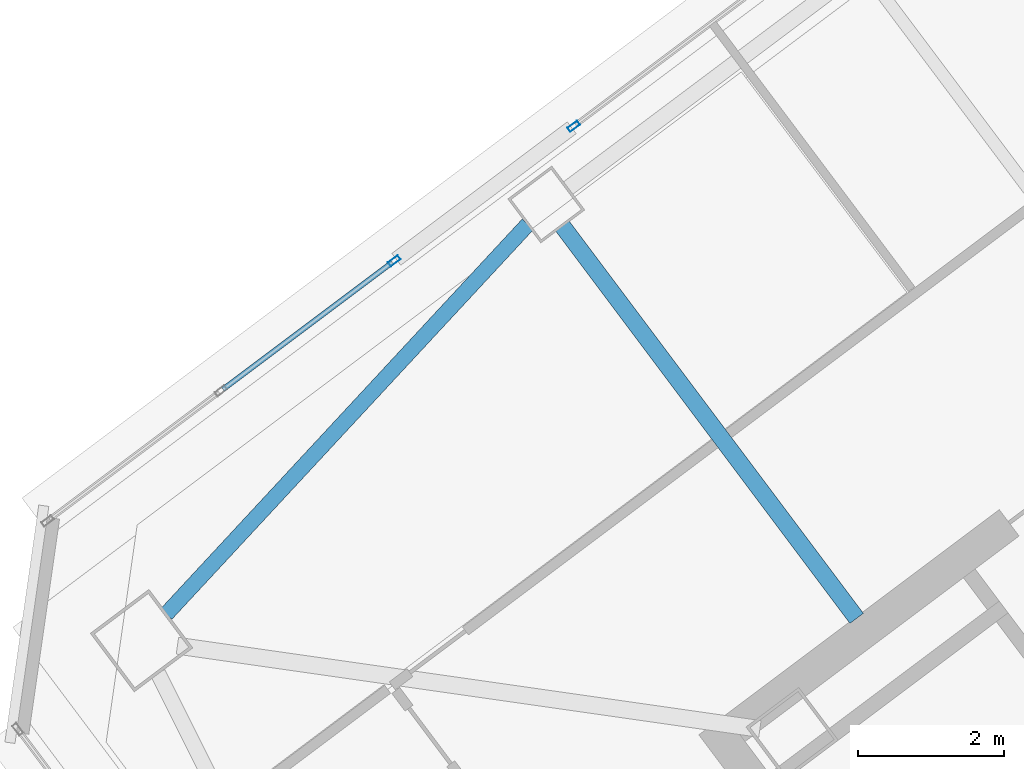
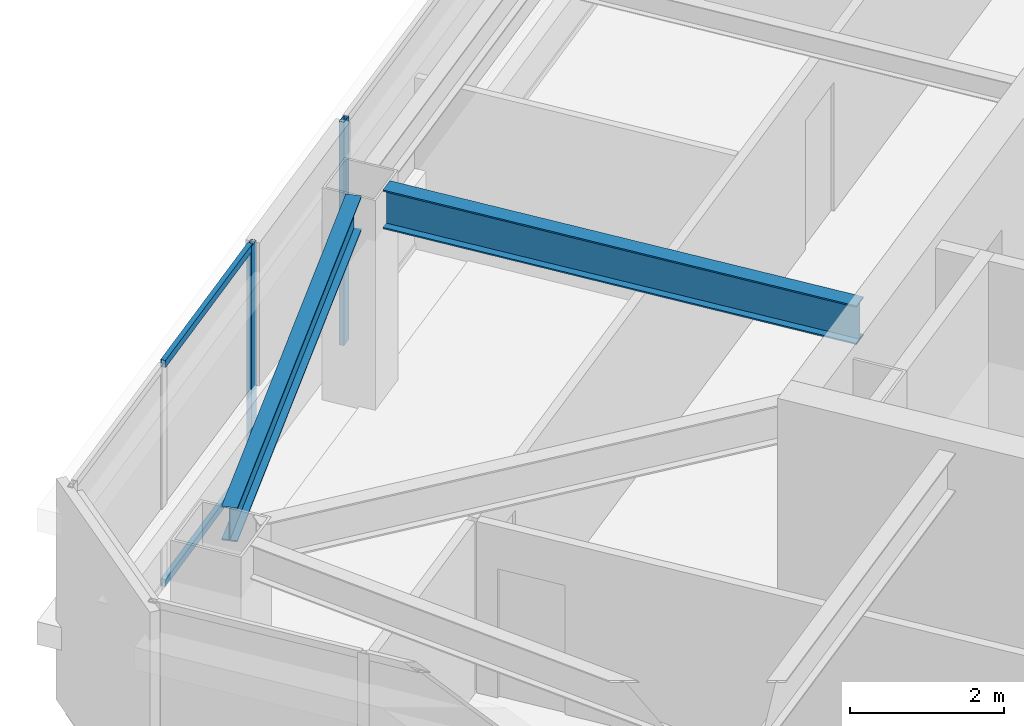
# One storey, part 20 of 39: 4 members, 2 beams, 2 elements without a shape of their own.
"""IFC4 building model written with IfcOpenShell, lengths in metres."""

from ifc_helpers import new_model, si_unit, direction, frame, origin, origin_2d, place, context, subcontext, project, spatial, hollow_rectangle, i_section, extrude, material, material_profile, profile_set, type_object, element, aggregate, save


model = new_model("IFC4")

# Units and contexts
model_context = context("Model", 3, precision=1e-05, world=origin(), true_north=direction((0.0, 1.0)))
body_context = subcontext(model_context, "Body", "Model", "MODEL_VIEW")
ifc_project = project(units=[si_unit("LENGTHUNIT", "METRE"), si_unit("AREAUNIT", "SQUARE_METRE"), si_unit("VOLUMEUNIT", "CUBIC_METRE"), si_unit("PLANEANGLEUNIT", "RADIAN"), si_unit("MASSUNIT", "GRAM", prefix="KILO")], contexts=[model_context])

# Site, building, storey
site_placement = place(None, origin())
site = spatial("IfcSite", under=ifc_project, at=site_placement, CompositionType="ELEMENT")
building_placement = place(site_placement, origin())
building = spatial("IfcBuilding", under=site, at=building_placement, Name="Tashvorn Skyway Center", CompositionType="ELEMENT")
storey_placement = place(building_placement, frame((0.0, 0.0, 214.85009765625)))
storey = spatial("IfcBuildingStorey", under=building, at=storey_placement, Name="L58", CompositionType="ELEMENT", Elevation=214.85009765625)

# Beams
ifc_material_1 = material(Name="Steel ASTM A992 Grade 50", Category="steel")
ifc_material_profile_1 = material_profile(ifc_material_1, i_section(OverallWidth=0.22998046875, OverallDepth=0.616943359375, WebThickness=0.01318359375, FlangeThickness=0.022216796875, at=origin_2d()), Name="W24X94")
ifc_profile_set_1 = profile_set([ifc_material_profile_1], Name="Steel ASTM A992 Grade 50")
beam_type_1 = type_object("IfcBeamType", Name="BM-BEAM-W24X94", PredefinedType="BEAM", material=ifc_profile_set_1)
beam_1_placement = place(storey_placement, frame((100.991943359375, 40.343994140625, 3.0615234375), z_axis=(0.599994169845, -0.800004372583, 0.0), x_axis=(0.800004372583, 0.599994169845, 0.0)))
element("IfcBeam", 1, at=beam_1_placement, inside=storey, type_object=beam_type_1, Name="Tower 2 L58 Primary Floor Girder FC-N2", PredefinedType="BEAM", context=body_context, shape_type="SweptSolid", body=[
    extrude(i_section(OverallWidth=0.22998046875, OverallDepth=0.616943359375, WebThickness=0.01318359375, FlangeThickness=0.022216796875, at=origin_2d()), origin(), (0.0, 0.0, 1.0), 6.7001953125),
])
ifc_material_profile_2 = material_profile(ifc_material_1, i_section(OverallWidth=0.2109375, OverallDepth=0.5390625, WebThickness=0.01171875, FlangeThickness=0.018798828125, at=origin_2d()), Name="W21X73")
ifc_profile_set_2 = profile_set([ifc_material_profile_2], Name="Steel ASTM A992 Grade 50")
beam_type_2 = type_object("IfcBeamType", Name="BM-SPANDREL-W21X73", PredefinedType="SPANDREL", material=ifc_profile_set_2)
beam_2_placement = place(storey_placement, frame((100.518310546875, 40.36865234375, 3.100341796875), z_axis=(-0.680182956622, -0.733042389989, 0.0), x_axis=(0.733042389989, -0.680182956622, 0.0)))
element("IfcBeam", 2, at=beam_2_placement, inside=storey, type_object=beam_type_2, Name="Tower 2 L58 Spandrel Beam 09", PredefinedType="SPANDREL", context=body_context, shape_type="SweptSolid", body=[
    extrude(i_section(OverallWidth=0.2109375, OverallDepth=0.5390625, WebThickness=0.01171875, FlangeThickness=0.018798828125, at=origin_2d()), origin(), (0.0, 0.0, 1.0), 7.26513671875),
])

# Curtain wall, member
ifc_material_2 = material(Name="Thermally broken bronze-anodized aluminium 6063-T6", Category="aluminium")
curtain_wall_type = type_object("IfcCurtainWallType", Name="CW-CW-Z5", PredefinedType="NOTDEFINED", material=ifc_material_2)
curtain_wall_1_placement = place(storey_placement, origin())
curtain_wall_1 = element("IfcCurtainWall", 3, at=curtain_wall_1_placement, inside=storey, type_object=curtain_wall_type, Name="Tower 2 L58 North Unitised Curtain Wall Glazing Group 1", PredefinedType="NOTDEFINED")
ifc_material_profile_3 = material_profile(ifc_material_2, hollow_rectangle(XDim=0.070068359375, YDim=0.1650390625, WallThickness=0.00390625, at=origin_2d()), Name="ALU-MULL-70x165")
ifc_profile_set_3 = profile_set([ifc_material_profile_3], Name="Thermally broken bronze-anodized aluminium 6063-T6")
member_type_1 = type_object("IfcMemberType", Name="CWM-CW-Z5", PredefinedType="MULLION", material=ifc_profile_set_3)
member_1_placement = place(storey_placement, frame((98.69287109375, 39.86962890625, 0.0), z_axis=(0.0, 0.0, 1.0), x_axis=(-0.600002670604, 0.79999799704, 0.0)))
member_1 = element("IfcMember", 4, at=member_1_placement, type_object=member_type_1, Name="CW-Z5 mullion 3", PredefinedType="MULLION", context=body_context, shape_type="SweptSolid", body=[
    extrude(hollow_rectangle(XDim=0.070068359375, YDim=0.1650390625, WallThickness=0.00390625, at=origin_2d()), origin(), (0.0, 0.0, 1.0), 3.5498046875),
])

curtain_wall_2_placement = place(storey_placement, origin())
curtain_wall_2 = element("IfcCurtainWall", 5, at=curtain_wall_2_placement, inside=storey, type_object=curtain_wall_type, Name="Tower 2 L58 North Unitised Curtain Wall Glazing Group 2", PredefinedType="NOTDEFINED")
member_2_placement = place(storey_placement, frame((101.145263671875, 41.708984375, 0.0), z_axis=(0.0, 0.0, 1.0), x_axis=(-0.599996439189, 0.800002670596, 0.0)))
member_2 = element("IfcMember", 6, at=member_2_placement, type_object=member_type_1, Name="CW-Z5 mullion 1", PredefinedType="MULLION", context=body_context, shape_type="SweptSolid", body=[
    extrude(hollow_rectangle(XDim=0.070068359375, YDim=0.1650390625, WallThickness=0.00390625, at=origin_2d()), origin(), (0.0, 0.0, 1.0), 3.5498046875),
])
aggregate(curtain_wall_2, [member_2])

# Member
ifc_material_profile_4 = material_profile(ifc_material_2, hollow_rectangle(XDim=0.070068359375, YDim=0.114990234375, WallThickness=0.00390625, at=origin_2d()), Name="ALU-TRAN-70x115")
ifc_profile_set_4 = profile_set([ifc_material_profile_4], Name="Thermally broken bronze-anodized aluminium 6063-T6")
member_type_2 = type_object("IfcMemberType", Name="CWT-CW-Z5", PredefinedType="USERDEFINED", material=ifc_profile_set_4)
member_3_placement = place(storey_placement, frame((96.3525390625, 38.1142578125, 0.034912109375), z_axis=(0.799969591513, 0.600040542509, 0.0), x_axis=(-0.600040542509, 0.799969591513, 0.0)))
member_3 = element("IfcMember", 7, at=member_3_placement, type_object=member_type_2, Name="CW-Z5 transom 2.1", ObjectType="TRANSOM", PredefinedType="USERDEFINED", context=body_context, shape_type="SweptSolid", body=[
    extrude(hollow_rectangle(XDim=0.070068359375, YDim=0.114990234375, WallThickness=0.00390625, at=origin_2d()), origin(), (0.0, 0.0, 1.0), 2.890380859375),
])

member_4_placement = place(storey_placement, frame((96.3525390625, 38.1142578125, 3.514892578125), z_axis=(0.799969591513, 0.600040542509, 0.0), x_axis=(-0.600040542509, 0.799969591513, 0.0)))
member_4 = element("IfcMember", 8, at=member_4_placement, type_object=member_type_2, Name="CW-Z5 transom 2.2", ObjectType="TRANSOM", PredefinedType="USERDEFINED", context=body_context, shape_type="SweptSolid", body=[
    extrude(hollow_rectangle(XDim=0.070068359375, YDim=0.114990234375, WallThickness=0.00390625, at=origin_2d()), origin(), (0.0, 0.0, 1.0), 2.890380859375),
])

aggregate(curtain_wall_1, [member_1, member_3, member_4])

save(model, "model.ifc")
